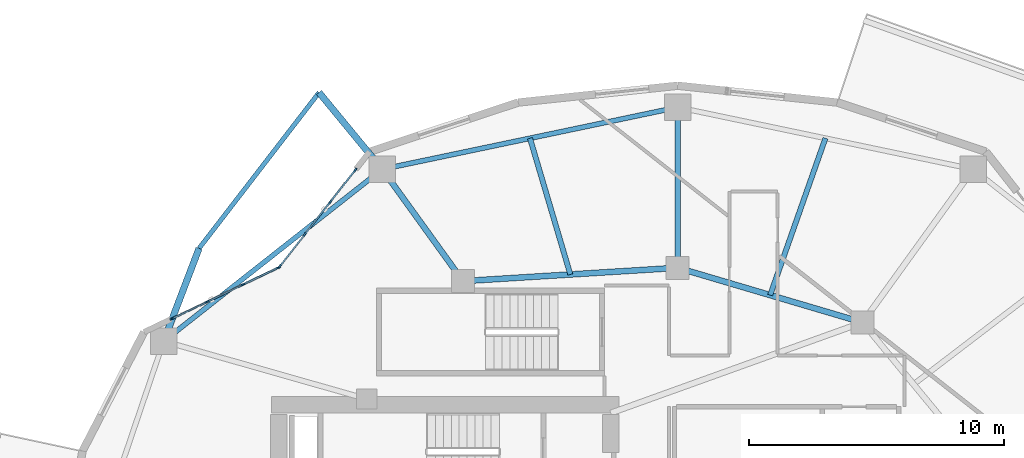
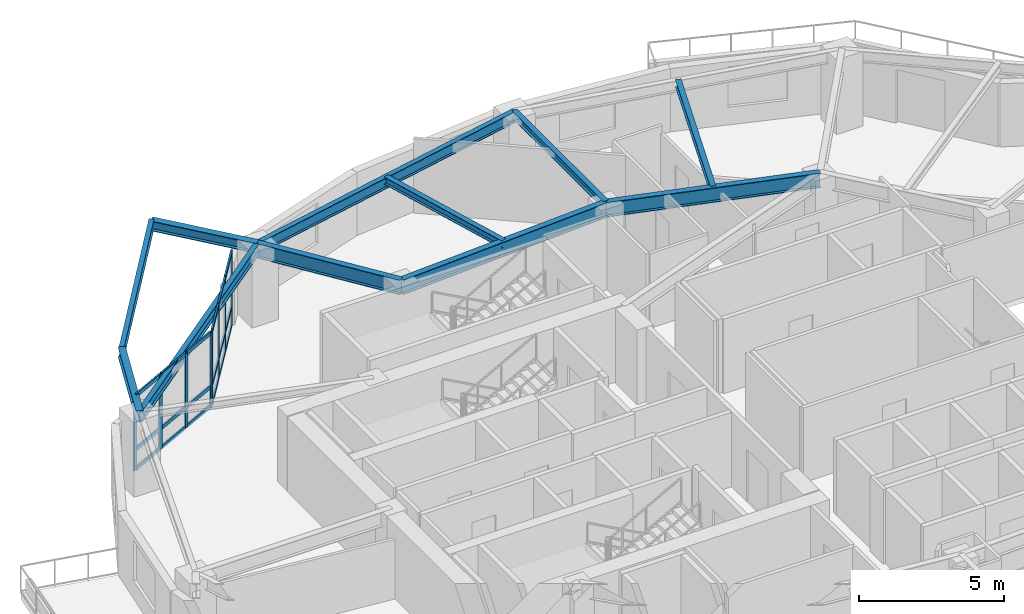
# One storey, part 5 of 18: 26 members, 11 beams, 2 elements without a shape of their own.
"""IFC4 building model written with IfcOpenShell, lengths in metres."""

from ifc_helpers import new_model, si_unit, direction, frame, origin, origin_2d, place, context, subcontext, project, spatial, rectangle, i_section, extrude, material, layer, layer_set, material_profile, profile_set, type_object, element, aggregate, save


model = new_model("IFC4")

# Units and contexts
model_context = context("Model", 3, precision=1e-05, world=origin(), true_north=direction((0.0, 1.0)))
body_context = subcontext(model_context, "Body", "Model", "MODEL_VIEW")
ifc_project = project(units=[si_unit("LENGTHUNIT", "METRE"), si_unit("AREAUNIT", "SQUARE_METRE"), si_unit("VOLUMEUNIT", "CUBIC_METRE"), si_unit("PLANEANGLEUNIT", "RADIAN"), si_unit("MASSUNIT", "GRAM", prefix="KILO")], contexts=[model_context])

# Site, building, storey
site_placement = place(None, origin())
site = spatial("IfcSite", under=ifc_project, at=site_placement, CompositionType="ELEMENT")
building_placement = place(site_placement, origin())
building = spatial("IfcBuilding", under=site, at=building_placement, Name="Kolvaren Gate Tower and Convention Centre", CompositionType="ELEMENT")
storey_placement = place(building_placement, frame((0.0, 0.0, 115.5)))
storey = spatial("IfcBuildingStorey", under=building, at=storey_placement, Name="L28", CompositionType="ELEMENT", Elevation=115.5)

# Curtain wall, members
ifc_material_1 = material(Name="Anodized Architectural Aluminium Alloy 6063-T6", Category="aluminium")
ifc_layer = layer(ifc_material_1, 0.159912109375)
ifc_layer_set = layer_set([ifc_layer], Name="Anodized Architectural Aluminium Alloy 6063-T6")
curtain_wall_type = type_object("IfcCurtainWallType", Name="CW-HTL-UNIT", PredefinedType="NOTDEFINED", material=ifc_layer_set)
curtain_wall_1_placement = place(storey_placement, origin())
curtain_wall_1 = element("IfcCurtainWall", 1, at=curtain_wall_1_placement, inside=storey, type_object=curtain_wall_type, Name="Tower L28 Unitised Curtain Wall CW-HTL-UNIT Bay 08", PredefinedType="NOTDEFINED")
ifc_material_profile_1 = material_profile(ifc_material_1, rectangle(XDim=0.06494140625, YDim=0.159912109375, at=origin_2d()), Name="CW-MEM-MUL-160")
ifc_profile_set_1 = profile_set([ifc_material_profile_1], Name="Anodized Architectural Aluminium Alloy 6063-T6")
member_type_1 = type_object("IfcMemberType", Name="CW-MEM-MUL-160", PredefinedType="MULLION", material=ifc_profile_set_1)
member_1_placement = place(storey_placement, frame((14.501220703125, 39.24853515625, 0.0), z_axis=(0.0, 0.0, 1.0), x_axis=(-0.787400841666, 0.616441330983, 0.0)))
member_1 = element("IfcMember", 2, at=member_1_placement, type_object=member_type_1, Name="CW-03 mullion 1", PredefinedType="MULLION", context=body_context, shape_type="SweptSolid", body=[
    extrude(rectangle(XDim=0.06494140625, YDim=0.159912109375, at=origin_2d()), origin(), (0.0, 0.0, 1.0), 3.1298828125),
])
member_2_placement = place(storey_placement, frame((15.484619140625, 40.504638671875, 0.0), z_axis=(0.0, 0.0, 1.0), x_axis=(-0.787400841666, 0.616441330983, 0.0)))
member_2 = element("IfcMember", 3, at=member_2_placement, type_object=member_type_1, Name="CW-03 mullion 2", PredefinedType="MULLION", context=body_context, shape_type="SweptSolid", body=[
    extrude(rectangle(XDim=0.06494140625, YDim=0.159912109375, at=origin_2d()), origin(), (0.0, 0.0, 1.0), 3.1298828125),
])
member_3_placement = place(storey_placement, frame((16.488037109375, 41.786376953125, 0.0), z_axis=(0.0, 0.0, 1.0), x_axis=(-0.787400841666, 0.616441330983, 0.0)))
member_3 = element("IfcMember", 4, at=member_3_placement, type_object=member_type_1, Name="CW-03 mullion 3", PredefinedType="MULLION", context=body_context, shape_type="SweptSolid", body=[
    extrude(rectangle(XDim=0.06494140625, YDim=0.159912109375, at=origin_2d()), origin(), (0.0, 0.0, 1.0), 3.1298828125),
])
member_4_placement = place(storey_placement, frame((17.471435546875, 43.042236328125, 0.0), z_axis=(0.0, 0.0, 1.0), x_axis=(-0.787400841666, 0.616441330983, 0.0)))
member_4 = element("IfcMember", 5, at=member_4_placement, type_object=member_type_1, Name="CW-03 mullion 4", PredefinedType="MULLION", context=body_context, shape_type="SweptSolid", body=[
    extrude(rectangle(XDim=0.06494140625, YDim=0.159912109375, at=origin_2d()), origin(), (0.0, 0.0, 1.0), 3.1298828125),
])

curtain_wall_2_placement = place(storey_placement, origin())
curtain_wall_2 = element("IfcCurtainWall", 6, at=curtain_wall_2_placement, inside=storey, type_object=curtain_wall_type, Name="Tower L28 Unitised Curtain Wall CW-HTL-UNIT Bay 09", PredefinedType="NOTDEFINED")
member_5_placement = place(storey_placement, frame((10.271728515625, 37.200439453125, 0.0), z_axis=(0.0, 0.0, 1.0), x_axis=(-0.43307254033, 0.901359070966, 0.0)))
member_5 = element("IfcMember", 7, at=member_5_placement, type_object=member_type_1, Name="CW-03 mullion 1", PredefinedType="MULLION", context=body_context, shape_type="SweptSolid", body=[
    extrude(rectangle(XDim=0.06494140625, YDim=0.159912109375, at=origin_2d()), origin(), (0.0, 0.0, 1.0), 3.1298828125),
])
member_6_placement = place(storey_placement, frame((11.655517578125, 37.865234375, 0.0), z_axis=(0.0, 0.0, 1.0), x_axis=(-0.43307254033, 0.901359070966, 0.0)))
member_6 = element("IfcMember", 8, at=member_6_placement, type_object=member_type_1, Name="CW-03 mullion 2", PredefinedType="MULLION", context=body_context, shape_type="SweptSolid", body=[
    extrude(rectangle(XDim=0.06494140625, YDim=0.159912109375, at=origin_2d()), origin(), (0.0, 0.0, 1.0), 3.1298828125),
])
member_7_placement = place(storey_placement, frame((13.068359375, 38.544189453125, 0.0), z_axis=(0.0, 0.0, 1.0), x_axis=(-0.43307254033, 0.901359070966, 0.0)))
member_7 = element("IfcMember", 9, at=member_7_placement, type_object=member_type_1, Name="CW-03 mullion 3", PredefinedType="MULLION", context=body_context, shape_type="SweptSolid", body=[
    extrude(rectangle(XDim=0.06494140625, YDim=0.159912109375, at=origin_2d()), origin(), (0.0, 0.0, 1.0), 3.1298828125),
])
member_8_placement = place(storey_placement, frame((14.451904296875, 39.208984375, 0.0), z_axis=(0.0, 0.0, 1.0), x_axis=(-0.43307254033, 0.901359070966, 0.0)))
member_8 = element("IfcMember", 10, at=member_8_placement, type_object=member_type_1, Name="CW-03 mullion 4", PredefinedType="MULLION", context=body_context, shape_type="SweptSolid", body=[
    extrude(rectangle(XDim=0.06494140625, YDim=0.159912109375, at=origin_2d()), origin(), (0.0, 0.0, 1.0), 3.1298828125),
])

# Member
ifc_material_profile_2 = material_profile(ifc_material_1, rectangle(XDim=0.06494140625, YDim=0.159912109375, at=origin_2d()), Name="CW-MEM-TRN-160")
ifc_profile_set_2 = profile_set([ifc_material_profile_2], Name="Anodized Architectural Aluminium Alloy 6063-T6")
member_type_2 = type_object("IfcMemberType", Name="CW-MEM-TRN-160", PredefinedType="USERDEFINED", material=ifc_profile_set_2)
member_9_placement = place(storey_placement, frame((14.521484375, 39.274169921875, 0.032470703125), z_axis=(0.61639000373, 0.78744102211, 0.0), x_axis=(-0.78744102211, 0.61639000373, 0.0)))
member_9 = element("IfcMember", 11, at=member_9_placement, type_object=member_type_2, Name="CW-03 transom 1.1", ObjectType="TRANSOM", PredefinedType="USERDEFINED", context=body_context, shape_type="SweptSolid", body=[
    extrude(rectangle(XDim=0.06494140625, YDim=0.159912109375, at=origin_2d()), origin(), (0.0, 0.0, 1.0), 1.530029296875),
])

member_10_placement = place(storey_placement, frame((14.521484375, 39.274169921875, 0.85009765625), z_axis=(0.61639000373, 0.78744102211, 0.0), x_axis=(-0.78744102211, 0.61639000373, 0.0)))
member_10 = element("IfcMember", 12, at=member_10_placement, type_object=member_type_2, Name="CW-03 transom 1.2", ObjectType="TRANSOM", PredefinedType="USERDEFINED", context=body_context, shape_type="SweptSolid", body=[
    extrude(rectangle(XDim=0.06494140625, YDim=0.159912109375, at=origin_2d()), origin(), (0.0, 0.0, 1.0), 1.530029296875),
])

member_11_placement = place(storey_placement, frame((14.521484375, 39.274169921875, 3.097412109375), z_axis=(0.61639000373, 0.78744102211, 0.0), x_axis=(-0.78744102211, 0.61639000373, 0.0)))
member_11 = element("IfcMember", 13, at=member_11_placement, type_object=member_type_2, Name="CW-03 transom 1.3", ObjectType="TRANSOM", PredefinedType="USERDEFINED", context=body_context, shape_type="SweptSolid", body=[
    extrude(rectangle(XDim=0.06494140625, YDim=0.159912109375, at=origin_2d()), origin(), (0.0, 0.0, 1.0), 1.530029296875),
])

member_12_placement = place(storey_placement, frame((15.504638671875, 40.5302734375, 0.032470703125), z_axis=(0.616468321189, 0.787379710794, 0.0), x_axis=(-0.787379710794, 0.616468321189, 0.0)))
member_12 = element("IfcMember", 14, at=member_12_placement, type_object=member_type_2, Name="CW-03 transom 2.1", ObjectType="TRANSOM", PredefinedType="USERDEFINED", context=body_context, shape_type="SweptSolid", body=[
    extrude(rectangle(XDim=0.06494140625, YDim=0.159912109375, at=origin_2d()), origin(), (0.0, 0.0, 1.0), 1.562744140625),
])

member_13_placement = place(storey_placement, frame((15.504638671875, 40.5302734375, 0.85009765625), z_axis=(0.616468321189, 0.787379710794, 0.0), x_axis=(-0.787379710794, 0.616468321189, 0.0)))
member_13 = element("IfcMember", 15, at=member_13_placement, type_object=member_type_2, Name="CW-03 transom 2.2", ObjectType="TRANSOM", PredefinedType="USERDEFINED", context=body_context, shape_type="SweptSolid", body=[
    extrude(rectangle(XDim=0.06494140625, YDim=0.159912109375, at=origin_2d()), origin(), (0.0, 0.0, 1.0), 1.562744140625),
])

member_14_placement = place(storey_placement, frame((15.504638671875, 40.5302734375, 3.097412109375), z_axis=(0.616468321189, 0.787379710794, 0.0), x_axis=(-0.787379710794, 0.616468321189, 0.0)))
member_14 = element("IfcMember", 16, at=member_14_placement, type_object=member_type_2, Name="CW-03 transom 2.3", ObjectType="TRANSOM", PredefinedType="USERDEFINED", context=body_context, shape_type="SweptSolid", body=[
    extrude(rectangle(XDim=0.06494140625, YDim=0.159912109375, at=origin_2d()), origin(), (0.0, 0.0, 1.0), 1.562744140625),
])

member_15_placement = place(storey_placement, frame((16.508056640625, 41.811767578125, 0.032470703125), z_axis=(0.616488928006, 0.78736357653, 0.0), x_axis=(-0.78736357653, 0.616488928006, 0.0)))
member_15 = element("IfcMember", 17, at=member_15_placement, type_object=member_type_2, Name="CW-03 transom 3.1", ObjectType="TRANSOM", PredefinedType="USERDEFINED", context=body_context, shape_type="SweptSolid", body=[
    extrude(rectangle(XDim=0.06494140625, YDim=0.159912109375, at=origin_2d()), origin(), (0.0, 0.0, 1.0), 1.5302734375),
])

member_16_placement = place(storey_placement, frame((16.508056640625, 41.811767578125, 0.85009765625), z_axis=(0.616488928006, 0.78736357653, 0.0), x_axis=(-0.78736357653, 0.616488928006, 0.0)))
member_16 = element("IfcMember", 18, at=member_16_placement, type_object=member_type_2, Name="CW-03 transom 3.2", ObjectType="TRANSOM", PredefinedType="USERDEFINED", context=body_context, shape_type="SweptSolid", body=[
    extrude(rectangle(XDim=0.06494140625, YDim=0.159912109375, at=origin_2d()), origin(), (0.0, 0.0, 1.0), 1.5302734375),
])

member_17_placement = place(storey_placement, frame((16.508056640625, 41.811767578125, 3.097412109375), z_axis=(0.616488928006, 0.78736357653, 0.0), x_axis=(-0.78736357653, 0.616488928006, 0.0)))
member_17 = element("IfcMember", 19, at=member_17_placement, type_object=member_type_2, Name="CW-03 transom 3.3", ObjectType="TRANSOM", PredefinedType="USERDEFINED", context=body_context, shape_type="SweptSolid", body=[
    extrude(rectangle(XDim=0.06494140625, YDim=0.159912109375, at=origin_2d()), origin(), (0.0, 0.0, 1.0), 1.5302734375),
])

aggregate(curtain_wall_1, [member_1, member_2, member_3, member_4, member_9, member_10, member_11, member_12, member_13, member_14, member_15, member_16, member_17])

member_18_placement = place(storey_placement, frame((10.301025390625, 37.214599609375, 0.032470703125), z_axis=(0.901421966244, 0.432941611274, 0.0), x_axis=(-0.432941611274, 0.901421966244, 0.0)))
member_18 = element("IfcMember", 20, at=member_18_placement, type_object=member_type_2, Name="CW-03 transom 1.1", ObjectType="TRANSOM", PredefinedType="USERDEFINED", context=body_context, shape_type="SweptSolid", body=[
    extrude(rectangle(XDim=0.06494140625, YDim=0.159912109375, at=origin_2d()), origin(), (0.0, 0.0, 1.0), 1.47021484375),
])

member_19_placement = place(storey_placement, frame((10.301025390625, 37.214599609375, 0.85009765625), z_axis=(0.901421966244, 0.432941611274, 0.0), x_axis=(-0.432941611274, 0.901421966244, 0.0)))
member_19 = element("IfcMember", 21, at=member_19_placement, type_object=member_type_2, Name="CW-03 transom 1.2", ObjectType="TRANSOM", PredefinedType="USERDEFINED", context=body_context, shape_type="SweptSolid", body=[
    extrude(rectangle(XDim=0.06494140625, YDim=0.159912109375, at=origin_2d()), origin(), (0.0, 0.0, 1.0), 1.47021484375),
])

member_20_placement = place(storey_placement, frame((10.301025390625, 37.214599609375, 3.097412109375), z_axis=(0.901421966244, 0.432941611274, 0.0), x_axis=(-0.432941611274, 0.901421966244, 0.0)))
member_20 = element("IfcMember", 22, at=member_20_placement, type_object=member_type_2, Name="CW-03 transom 1.3", ObjectType="TRANSOM", PredefinedType="USERDEFINED", context=body_context, shape_type="SweptSolid", body=[
    extrude(rectangle(XDim=0.06494140625, YDim=0.159912109375, at=origin_2d()), origin(), (0.0, 0.0, 1.0), 1.47021484375),
])

member_21_placement = place(storey_placement, frame((11.684814453125, 37.87939453125, 0.032470703125), z_axis=(0.901368321762, 0.43305328601, 0.0), x_axis=(-0.43305328601, 0.901368321762, 0.0)))
member_21 = element("IfcMember", 23, at=member_21_placement, type_object=member_type_2, Name="CW-03 transom 2.1", ObjectType="TRANSOM", PredefinedType="USERDEFINED", context=body_context, shape_type="SweptSolid", body=[
    extrude(rectangle(XDim=0.06494140625, YDim=0.159912109375, at=origin_2d()), origin(), (0.0, 0.0, 1.0), 1.50244140625),
])

member_22_placement = place(storey_placement, frame((11.684814453125, 37.87939453125, 0.85009765625), z_axis=(0.901368321762, 0.43305328601, 0.0), x_axis=(-0.43305328601, 0.901368321762, 0.0)))
member_22 = element("IfcMember", 24, at=member_22_placement, type_object=member_type_2, Name="CW-03 transom 2.2", ObjectType="TRANSOM", PredefinedType="USERDEFINED", context=body_context, shape_type="SweptSolid", body=[
    extrude(rectangle(XDim=0.06494140625, YDim=0.159912109375, at=origin_2d()), origin(), (0.0, 0.0, 1.0), 1.50244140625),
])

member_23_placement = place(storey_placement, frame((11.684814453125, 37.87939453125, 3.097412109375), z_axis=(0.901368321762, 0.43305328601, 0.0), x_axis=(-0.43305328601, 0.901368321762, 0.0)))
member_23 = element("IfcMember", 25, at=member_23_placement, type_object=member_type_2, Name="CW-03 transom 2.3", ObjectType="TRANSOM", PredefinedType="USERDEFINED", context=body_context, shape_type="SweptSolid", body=[
    extrude(rectangle(XDim=0.06494140625, YDim=0.159912109375, at=origin_2d()), origin(), (0.0, 0.0, 1.0), 1.50244140625),
])

member_24_placement = place(storey_placement, frame((13.09765625, 38.55810546875, 0.032470703125), z_axis=(0.901325998393, 0.43314136794, 0.0), x_axis=(-0.43314136794, 0.901325998393, 0.0)))
member_24 = element("IfcMember", 26, at=member_24_placement, type_object=member_type_2, Name="CW-03 transom 3.1", ObjectType="TRANSOM", PredefinedType="USERDEFINED", context=body_context, shape_type="SweptSolid", body=[
    extrude(rectangle(XDim=0.06494140625, YDim=0.159912109375, at=origin_2d()), origin(), (0.0, 0.0, 1.0), 1.469970703125),
])

member_25_placement = place(storey_placement, frame((13.09765625, 38.55810546875, 0.85009765625), z_axis=(0.901325998393, 0.43314136794, 0.0), x_axis=(-0.43314136794, 0.901325998393, 0.0)))
member_25 = element("IfcMember", 27, at=member_25_placement, type_object=member_type_2, Name="CW-03 transom 3.2", ObjectType="TRANSOM", PredefinedType="USERDEFINED", context=body_context, shape_type="SweptSolid", body=[
    extrude(rectangle(XDim=0.06494140625, YDim=0.159912109375, at=origin_2d()), origin(), (0.0, 0.0, 1.0), 1.469970703125),
])

member_26_placement = place(storey_placement, frame((13.09765625, 38.55810546875, 3.097412109375), z_axis=(0.901325998393, 0.43314136794, 0.0), x_axis=(-0.43314136794, 0.901325998393, 0.0)))
member_26 = element("IfcMember", 28, at=member_26_placement, type_object=member_type_2, Name="CW-03 transom 3.3", ObjectType="TRANSOM", PredefinedType="USERDEFINED", context=body_context, shape_type="SweptSolid", body=[
    extrude(rectangle(XDim=0.06494140625, YDim=0.159912109375, at=origin_2d()), origin(), (0.0, 0.0, 1.0), 1.469970703125),
])

aggregate(curtain_wall_2, [member_5, member_6, member_7, member_8, member_18, member_19, member_20, member_21, member_22, member_23, member_24, member_25, member_26])

# Beams
ifc_material_2 = material(Name="Structural steel ASTM A992 Grade 345 MPa", Category="steel")
ifc_material_profile_3 = material_profile(ifc_material_2, i_section(OverallWidth=0.260009765625, OverallDepth=0.419921875, WebThickness=0.013427734375, FlangeThickness=0.0224609375, at=origin_2d()), Name="W410X132")
ifc_profile_set_3 = profile_set([ifc_material_profile_3], Name="Structural steel ASTM A992 Grade 345 MPa")
beam_type_1 = type_object("IfcBeamType", Name="STR-BM-W410X132", PredefinedType="BEAM", material=ifc_profile_set_3)
beam_1_placement = place(storey_placement, frame((18.52880859375, 43.068359375, 2.92041015625), z_axis=(-0.635814761536, 0.771841686496, 0.0), x_axis=(-0.771841686496, -0.635814761536, 0.0)))
element("IfcBeam", 29, at=beam_1_placement, inside=storey, type_object=beam_type_1, Name="Tower L29 Planted Balcony Outrigger Cantilever BC-1A", PredefinedType="BEAM", context=body_context, shape_type="SweptSolid", body=[
    extrude(i_section(OverallWidth=0.260009765625, OverallDepth=0.419921875, WebThickness=0.013427734375, FlangeThickness=0.0224609375, at=origin_2d()), origin(), (0.0, 0.0, 1.0), 3.900146484375),
])
beam_2_placement = place(storey_placement, frame((9.94970703125, 36.318603515625, 2.92041015625), z_axis=(0.356078629863, 0.934455996479, 0.0), x_axis=(-0.934455996479, 0.356078629863, 0.0)))
element("IfcBeam", 30, at=beam_2_placement, inside=storey, type_object=beam_type_1, Name="Tower L29 Planted Balcony Outrigger Cantilever BC-1B", PredefinedType="BEAM", context=body_context, shape_type="SweptSolid", body=[
    extrude(i_section(OverallWidth=0.260009765625, OverallDepth=0.419921875, WebThickness=0.013427734375, FlangeThickness=0.0224609375, at=origin_2d()), origin(), (0.0, 0.0, 1.0), 3.89990234375),
])
ifc_material_profile_4 = material_profile(ifc_material_2, i_section(OverallWidth=0.22998046875, OverallDepth=0.616943359375, WebThickness=0.01318359375, FlangeThickness=0.022216796875, at=origin_2d()), Name="W610X140")
ifc_profile_set_4 = profile_set([ifc_material_profile_4], Name="Structural steel ASTM A992 Grade 345 MPa")
beam_type_2 = type_object("IfcBeamType", Name="STR-BM-W610X140", PredefinedType="BEAM", material=ifc_profile_set_4)
beam_3_placement = place(storey_placement, frame((37.381591796875, 37.054931640625, 2.821533203125), z_axis=(-0.958980837827, 0.283470902706, 0.0), x_axis=(-0.283470902706, -0.958980837827, 0.0)))
element("IfcBeam", 31, at=beam_3_placement, inside=storey, type_object=beam_type_2, Name="Tower L28 Primary Ring Girder G-03", PredefinedType="BEAM", context=body_context, shape_type="SweptSolid", body=[
    extrude(i_section(OverallWidth=0.22998046875, OverallDepth=0.616943359375, WebThickness=0.01318359375, FlangeThickness=0.022216796875, at=origin_2d()), origin(), (0.0, 0.0, 1.0), 7.56689453125),
])
beam_4_placement = place(storey_placement, frame((30.125, 39.199951171875, 2.821533203125), z_axis=(-0.998078258568, -0.06196603726, 0.0), x_axis=(0.06196603726, -0.998078258568, 0.0)))
element("IfcBeam", 32, at=beam_4_placement, inside=storey, type_object=beam_type_2, Name="Tower L28 Primary Ring Girder G-04", PredefinedType="BEAM", context=body_context, shape_type="SweptSolid", body=[
    extrude(i_section(OverallWidth=0.22998046875, OverallDepth=0.616943359375, WebThickness=0.01318359375, FlangeThickness=0.022216796875, at=origin_2d()), origin(), (0.0, 0.0, 1.0), 8.443115234375),
])
beam_5_placement = place(storey_placement, frame((21.697998046875, 38.6767578125, 2.821533203125), z_axis=(-0.585184369967, 0.810900273243, 0.0), x_axis=(-0.810900273243, -0.585184369967, 0.0)))
element("IfcBeam", 33, at=beam_5_placement, inside=storey, type_object=beam_type_2, Name="Tower L28 Radial Floor Girder RB-05", PredefinedType="BEAM", context=body_context, shape_type="SweptSolid", body=[
    extrude(i_section(OverallWidth=0.22998046875, OverallDepth=0.616943359375, WebThickness=0.01318359375, FlangeThickness=0.022216796875, at=origin_2d()), origin(), (0.0, 0.0, 1.0), 5.415771484375),
])
ifc_material_profile_5 = material_profile(ifc_material_2, i_section(OverallWidth=0.205078125, OverallDepth=0.31005859375, WebThickness=0.009521484375, FlangeThickness=0.016357421875, at=origin_2d()), Name="W310X74")
ifc_profile_set_5 = profile_set([ifc_material_profile_5], Name="Structural steel ASTM A992 Grade 345 MPa")
beam_type_3 = type_object("IfcBeamType", Name="STR-JS-W310X74", PredefinedType="JOIST", material=ifc_profile_set_5)
beam_6_placement = place(storey_placement, frame((30.125, 39.199951171875, 2.97509765625), z_axis=(0.0, 1.0, 0.0), x_axis=(-1.0, 0.0, 0.0)))
element("IfcBeam", 34, at=beam_6_placement, inside=storey, type_object=beam_type_3, Name="Tower L28 Radial Floor Girder RB-04", PredefinedType="JOIST", context=body_context, shape_type="SweptSolid", body=[
    extrude(i_section(OverallWidth=0.205078125, OverallDepth=0.31005859375, WebThickness=0.009521484375, FlangeThickness=0.016357421875, at=origin_2d()), origin(), (0.0, 0.0, 1.0), 6.300048828125),
])
beam_7_placement = place(storey_placement, frame((33.75341796875, 38.12744140625, 2.97509765625), z_axis=(0.332372088023, 0.943148342046, 0.0), x_axis=(-0.943148342046, 0.332372088023, 0.0)))
element("IfcBeam", 35, at=beam_7_placement, inside=storey, type_object=beam_type_3, Name="Tower L28 Secondary Composite Floor Joist J-03.1", PredefinedType="JOIST", context=body_context, shape_type="SweptSolid", body=[
    extrude(i_section(OverallWidth=0.205078125, OverallDepth=0.31005859375, WebThickness=0.009521484375, FlangeThickness=0.016357421875, at=origin_2d()), origin(), (0.0, 0.0, 1.0), 6.52783203125),
])
beam_8_placement = place(storey_placement, frame((25.91162109375, 38.938232421875, 2.97509765625), z_axis=(-0.284209081553, 0.958762326107, 0.0), x_axis=(-0.958762326107, -0.284209081553, 0.0)))
element("IfcBeam", 36, at=beam_8_placement, inside=storey, type_object=beam_type_3, Name="Tower L28 Secondary Composite Floor Joist J-04.1", PredefinedType="JOIST", context=body_context, shape_type="SweptSolid", body=[
    extrude(i_section(OverallWidth=0.205078125, OverallDepth=0.31005859375, WebThickness=0.009521484375, FlangeThickness=0.016357421875, at=origin_2d()), origin(), (0.0, 0.0, 1.0), 5.575927734375),
])
ifc_material_profile_6 = material_profile(ifc_material_2, i_section(OverallWidth=0.180908203125, OverallDepth=0.4169921875, WebThickness=0.010986328125, FlangeThickness=0.018310546875, at=origin_2d()), Name="W410X85")
ifc_profile_set_6 = profile_set([ifc_material_profile_6], Name="Structural steel ASTM A992 Grade 345 MPa")
beam_type_4 = type_object("IfcBeamType", Name="STR-SP-W410X85", PredefinedType="SPANDREL", material=ifc_profile_set_6)
beam_9_placement = place(storey_placement, frame((16.049072265625, 46.07861328125, 2.922119140625), z_axis=(-0.610222644788, -0.792229969004, 0.0), x_axis=(0.792229969004, -0.610222644788, 0.0)))
element("IfcBeam", 37, at=beam_9_placement, inside=storey, type_object=beam_type_4, Name="Tower L29 Planted Balcony Header Tie Beam BT-1", PredefinedType="SPANDREL", context=body_context, shape_type="SweptSolid", body=[
    extrude(i_section(OverallWidth=0.180908203125, OverallDepth=0.4169921875, WebThickness=0.010986328125, FlangeThickness=0.018310546875, at=origin_2d()), origin(), (0.0, 0.0, 1.0), 7.7197265625),
])
ifc_material_profile_7 = material_profile(ifc_material_2, i_section(OverallWidth=0.194091796875, OverallDepth=0.468994140625, WebThickness=0.0126953125, FlangeThickness=0.0205078125, at=origin_2d()), Name="W460X106")
ifc_profile_set_7 = profile_set([ifc_material_profile_7], Name="Structural steel ASTM A992 Grade 345 MPa")
beam_type_5 = type_object("IfcBeamType", Name="STR-SP-W460X106", PredefinedType="SPANDREL", material=ifc_profile_set_7)
beam_10_placement = place(storey_placement, frame((30.125, 45.5, 2.8955078125), z_axis=(-0.978713879092, -0.20522948831, 0.0), x_axis=(0.20522948831, -0.978713879092, 0.0)))
element("IfcBeam", 38, at=beam_10_placement, inside=storey, type_object=beam_type_5, Name="Tower L28 Perimeter Spandrel Beam SP-04", PredefinedType="SPANDREL", context=body_context, shape_type="SweptSolid", body=[
    extrude(i_section(OverallWidth=0.194091796875, OverallDepth=0.468994140625, WebThickness=0.0126953125, FlangeThickness=0.0205078125, at=origin_2d()), origin(), (0.0, 0.0, 1.0), 11.848388671875),
])
beam_11_placement = place(storey_placement, frame((18.52880859375, 43.068359375, 2.8955078125), z_axis=(-0.785916161629, -0.61833307116, 0.0), x_axis=(0.61833307116, -0.785916161629, 0.0)))
element("IfcBeam", 39, at=beam_11_placement, inside=storey, type_object=beam_type_5, Name="Tower L28 Perimeter Spandrel Beam SP-05", PredefinedType="SPANDREL", context=body_context, shape_type="SweptSolid", body=[
    extrude(i_section(OverallWidth=0.194091796875, OverallDepth=0.468994140625, WebThickness=0.0126953125, FlangeThickness=0.0205078125, at=origin_2d()), origin(), (0.0, 0.0, 1.0), 10.916015625),
])

save(model, "model.ifc")
